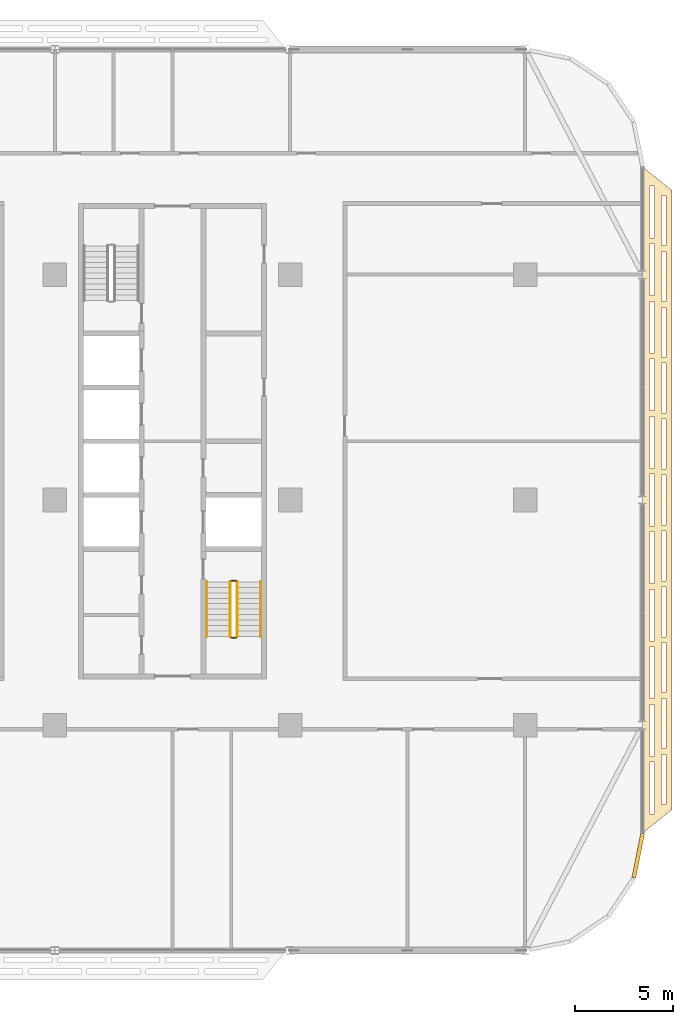
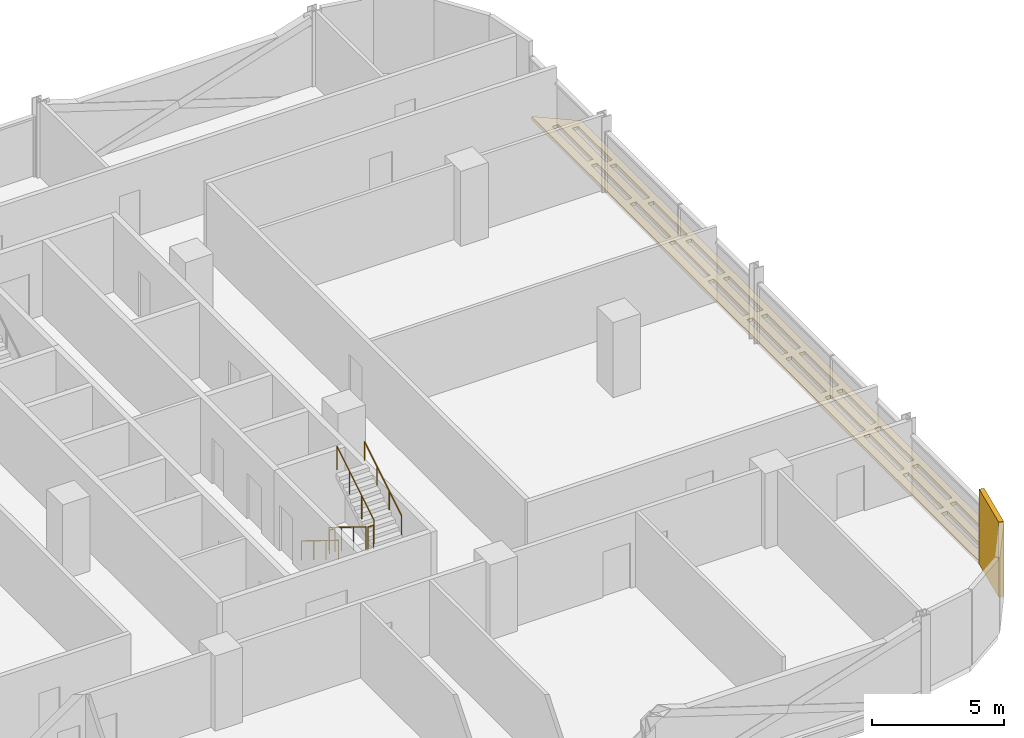
# One storey, part 26 of 27: 6 railings, 2 coverings.
"""IFC4 building model written with IfcOpenShell, lengths in metres."""

from ifc_helpers import new_model, si_unit, direction, frame, origin, origin_2d, place, context, subcontext, project, spatial, polyline, rectangle, circle, outline, extrude, material, layer, layer_set, type_object, element, save


model = new_model("IFC4")

# Units and contexts
model_context = context("Model", 3, precision=1e-05, world=origin(), true_north=direction((0.0, 1.0)))
body_context = subcontext(model_context, "Body", "Model", "MODEL_VIEW")
ifc_project = project(units=[si_unit("LENGTHUNIT", "METRE"), si_unit("AREAUNIT", "SQUARE_METRE"), si_unit("VOLUMEUNIT", "CUBIC_METRE"), si_unit("PLANEANGLEUNIT", "RADIAN"), si_unit("MASSUNIT", "GRAM", prefix="KILO")], contexts=[model_context])

# Site, building, storey
site_placement = place(None, origin())
site = spatial("IfcSite", under=ifc_project, at=site_placement, CompositionType="ELEMENT")
building_placement = place(site_placement, origin())
building = spatial("IfcBuilding", under=site, at=building_placement, Name="Mahtab Terrace Research Tower", CompositionType="ELEMENT")
storey_placement = place(building_placement, frame((0.0, 0.0, 166.800048828125)))
storey = spatial("IfcBuildingStorey", under=building, at=storey_placement, Name="L39", CompositionType="ELEMENT", Elevation=166.800048828125)

# Coverings
ifc_material_1 = material(Name="Black aluminium cladding panel", Category="aluminium")
ifc_layer_1 = layer(ifc_material_1, 0.199951171875)
ifc_layer_set_1 = layer_set([ifc_layer_1], Name="Black metal corner cladding 200")
covering_type_1 = type_object("IfcCoveringType", Name="Black metal corner cladding 200", PredefinedType="CLADDING", material=ifc_layer_set_1)
covering_1_placement = place(storey_placement, frame((47.771484375, -18.14794921875, 0.0), z_axis=(0.0, 0.0, 1.0), x_axis=(0.195212442692, 0.980760981187, 0.0)))
element("IfcCovering", 1, at=covering_1_placement, inside=storey, type_object=covering_type_1, Name="Corner cladding L39 33", PredefinedType="CLADDING", context=body_context, shape_type="SweptSolid", body=[
    extrude(rectangle(XDim=2.30126953125, YDim=0.199951171875, at=origin_2d()), origin(), (0.0, 0.0, 1.0), 3.4599609375),
])
ifc_material_2 = material(Name="Black anodised aluminium", Category="aluminium")
ifc_layer_2 = layer(ifc_material_2, 0.14990234375)
ifc_layer_set_2 = layer_set([ifc_layer_2], Name="Horizontal sunshade band")
covering_type_2 = type_object("IfcCoveringType", Name="Horizontal sunshade band", PredefinedType="CLADDING", material=ifc_layer_set_2)
covering_2_placement = place(storey_placement, frame((0.0, 0.0, -0.150146484375)))
element("IfcCovering", 2, at=covering_2_placement, inside=storey, type_object=covering_type_2, Name="Sunshade band L39 34", PredefinedType="CLADDING", context=body_context, shape_type="SweptSolid", body=[
    extrude(outline(polyline([(48.0, -17.0), (48.0, 17.0), (49.5, 15.800048828125), (49.5, -15.800048828125), (48.0, -17.0)]), holes=[polyline([(48.35009765625, -16.02001953125), (48.35009765625, -13.3798828125), (48.60009765625, -13.3798828125), (48.60009765625, -16.02001953125), (48.35009765625, -16.02001953125)]), polyline([(48.35009765625, -13.080078125), (48.35009765625, -10.43994140625), (48.60009765625, -10.43994140625), (48.60009765625, -13.080078125), (48.35009765625, -13.080078125)]), polyline([(48.35009765625, -10.139892578125), (48.35009765625, -7.5), (48.60009765625, -7.5), (48.60009765625, -10.139892578125), (48.35009765625, -10.139892578125)]), polyline([(48.35009765625, -7.199951171875), (48.35009765625, -4.56005859375), (48.60009765625, -4.56005859375), (48.60009765625, -7.199951171875), (48.35009765625, -7.199951171875)]), polyline([(48.35009765625, -4.260009765625), (48.35009765625, -1.6201171875), (48.60009765625, -1.6201171875), (48.60009765625, -4.260009765625), (48.35009765625, -4.260009765625)]), polyline([(48.35009765625, -1.320068359375), (48.35009765625, 1.320068359375), (48.60009765625, 1.320068359375), (48.60009765625, -1.320068359375), (48.35009765625, -1.320068359375)]), polyline([(48.35009765625, 1.6201171875), (48.35009765625, 4.260009765625), (48.60009765625, 4.260009765625), (48.60009765625, 1.6201171875), (48.35009765625, 1.6201171875)]), polyline([(48.35009765625, 4.56005859375), (48.35009765625, 7.199951171875), (48.60009765625, 7.199951171875), (48.60009765625, 4.56005859375), (48.35009765625, 4.56005859375)]), polyline([(48.35009765625, 7.5), (48.35009765625, 10.139892578125), (48.60009765625, 10.139892578125), (48.60009765625, 7.5), (48.35009765625, 7.5)]), polyline([(48.35009765625, 10.43994140625), (48.35009765625, 13.080078125), (48.60009765625, 13.080078125), (48.60009765625, 10.43994140625), (48.35009765625, 10.43994140625)]), polyline([(48.35009765625, 13.3798828125), (48.35009765625, 16.02001953125), (48.60009765625, 16.02001953125), (48.60009765625, 13.3798828125), (48.35009765625, 13.3798828125)]), polyline([(48.949951171875, -15.5400390625), (48.949951171875, -12.987060546875), (49.199951171875, -12.987060546875), (49.199951171875, -15.5400390625), (48.949951171875, -15.5400390625)]), polyline([(48.949951171875, -12.68701171875), (48.949951171875, -10.135009765625), (49.199951171875, -10.135009765625), (49.199951171875, -12.68701171875), (48.949951171875, -12.68701171875)]), polyline([(48.949951171875, -9.8349609375), (48.949951171875, -7.281982421875), (49.199951171875, -7.281982421875), (49.199951171875, -9.8349609375), (48.949951171875, -9.8349609375)]), polyline([(48.949951171875, -6.98193359375), (48.949951171875, -4.428955078125), (49.199951171875, -4.428955078125), (49.199951171875, -6.98193359375), (48.949951171875, -6.98193359375)]), polyline([(48.949951171875, -4.12890625), (48.949951171875, -1.575927734375), (49.199951171875, -1.575927734375), (49.199951171875, -4.12890625), (48.949951171875, -4.12890625)]), polyline([(48.949951171875, -1.27587890625), (48.949951171875, 1.27587890625), (49.199951171875, 1.27587890625), (49.199951171875, -1.27587890625), (48.949951171875, -1.27587890625)]), polyline([(48.949951171875, 1.575927734375), (48.949951171875, 4.12890625), (49.199951171875, 4.12890625), (49.199951171875, 1.575927734375), (48.949951171875, 1.575927734375)]), polyline([(48.949951171875, 4.428955078125), (48.949951171875, 6.98193359375), (49.199951171875, 6.98193359375), (49.199951171875, 4.428955078125), (48.949951171875, 4.428955078125)]), polyline([(48.949951171875, 7.281982421875), (48.949951171875, 9.8349609375), (49.199951171875, 9.8349609375), (49.199951171875, 7.281982421875), (48.949951171875, 7.281982421875)]), polyline([(48.949951171875, 10.135009765625), (48.949951171875, 12.68701171875), (49.199951171875, 12.68701171875), (49.199951171875, 10.135009765625), (48.949951171875, 10.135009765625)]), polyline([(48.949951171875, 12.987060546875), (48.949951171875, 15.5400390625), (49.199951171875, 15.5400390625), (49.199951171875, 12.987060546875), (48.949951171875, 12.987060546875)])]), origin(), (0.0, 0.0, 1.0), 0.150146484375),
])

# Railings
ifc_material_3 = material(Name="Stainless steel AISI 304", Category="steel")
railing_type_1 = type_object("IfcRailingType", Name="Stair guard 1100", PredefinedType="GUARDRAIL", material=ifc_material_3)
railing_1_placement = place(storey_placement, frame((26.949951171875, -4.175048828125, 0.172607421875)))
element("IfcRailing", 3, at=railing_1_placement, inside=storey, type_object=railing_type_1, Name="L39 ST4 stair guard 1", PredefinedType="GUARDRAIL", context=body_context, shape_type="SweptSolid", body=[
    extrude(circle(Radius=0.02392578125, at=origin_2d()), frame((0.0, 0.0, 1.076171875), z_axis=(0.0, -0.851089632645, 0.525020415988), x_axis=(1.0, 0.0, 0.0)), (0.0, 0.0, 1.0), 3.2900390625),
    extrude(circle(Radius=0.02099609375, at=origin_2d()), origin(), (0.0, 0.0, 1.0), 1.052001953125),
    extrude(circle(Radius=0.02099609375, at=origin_2d()), frame((0.0, -0.933349609375, 0.57568359375)), (0.0, 0.0, 1.0), 1.052001953125),
    extrude(circle(Radius=0.02099609375, at=origin_2d()), frame((0.0, -1.86669921875, 1.151611328125)), (0.0, 0.0, 1.0), 1.052001953125),
    extrude(circle(Radius=0.02099609375, at=origin_2d()), frame((0.0, -2.800048828125, 1.727294921875)), (0.0, 0.0, 1.0), 1.052001953125),
])
railing_2_placement = place(storey_placement, frame((27.0, -7.02490234375, 1.89990234375)))
element("IfcRailing", 4, at=railing_2_placement, inside=storey, type_object=railing_type_1, Name="L39 ST4 stair guard 2", PredefinedType="GUARDRAIL", context=body_context, shape_type="SweptSolid", body=[
    extrude(circle(Radius=0.02392578125, at=origin_2d()), frame((0.0, 0.0, 1.076171875), z_axis=(1.0, 0.0, 0.0), x_axis=(0.0, 1.0, 0.0)), (0.0, 0.0, 1.0), 0.25),
    extrude(circle(Radius=0.02099609375, at=origin_2d()), origin(), (0.0, 0.0, 1.0), 1.052001953125),
    extrude(circle(Radius=0.02099609375, at=origin_2d()), frame((0.25, 0.0, 0.0)), (0.0, 0.0, 1.0), 1.052001953125),
])
railing_3_placement = place(storey_placement, frame((27.300048828125, -6.97509765625, 2.07275390625)))
element("IfcRailing", 5, at=railing_3_placement, inside=storey, type_object=railing_type_1, Name="L39 ST4 stair guard 3", PredefinedType="GUARDRAIL", context=body_context, shape_type="SweptSolid", body=[
    extrude(circle(Radius=0.02392578125, at=origin_2d()), frame((0.0, 0.0, 1.076171875), z_axis=(0.0, 0.851089632645, 0.525020415988), x_axis=(-1.0, 0.0, 0.0)), (0.0, 0.0, 1.0), 3.2900390625),
    extrude(circle(Radius=0.02099609375, at=origin_2d()), origin(), (0.0, 0.0, 1.0), 1.052001953125),
    extrude(circle(Radius=0.02099609375, at=origin_2d()), frame((0.0, 0.933349609375, 0.57568359375)), (0.0, 0.0, 1.0), 1.052001953125),
    extrude(circle(Radius=0.02099609375, at=origin_2d()), frame((0.0, 1.86669921875, 1.151611328125)), (0.0, 0.0, 1.0), 1.052001953125),
    extrude(circle(Radius=0.02099609375, at=origin_2d()), frame((0.0, 2.800048828125, 1.727294921875)), (0.0, 0.0, 1.0), 1.052001953125),
])
railing_4_placement = place(storey_placement, frame((27.0, -4.125, 0.0)))
element("IfcRailing", 6, at=railing_4_placement, inside=storey, type_object=railing_type_1, Name="L39 ST4 stair guard 4", PredefinedType="GUARDRAIL", context=body_context, shape_type="SweptSolid", body=[
    extrude(circle(Radius=0.02392578125, at=origin_2d()), frame((0.0, 0.0, 1.076171875), z_axis=(1.0, 0.0, 0.0), x_axis=(0.0, 1.0, 0.0)), (0.0, 0.0, 1.0), 0.25),
    extrude(circle(Radius=0.02099609375, at=origin_2d()), origin(), (0.0, 0.0, 1.0), 1.052001953125),
    extrude(circle(Radius=0.02099609375, at=origin_2d()), frame((0.25, 0.0, 0.0)), (0.0, 0.0, 1.0), 1.052001953125),
])
railing_type_2 = type_object("IfcRailingType", Name="Stair handrail 900", PredefinedType="HANDRAIL", material=ifc_material_3)
railing_5_placement = place(storey_placement, frame((25.75, -4.175048828125, 0.172607421875)))
element("IfcRailing", 7, at=railing_5_placement, inside=storey, type_object=railing_type_2, Name="L39 ST4 stair handrail 1", PredefinedType="HANDRAIL", context=body_context, shape_type="SweptSolid", body=[
    extrude(circle(Radius=0.02392578125, at=origin_2d()), frame((0.0, 0.0, 0.8759765625), z_axis=(0.0, -0.851089632645, 0.525020415988), x_axis=(1.0, 0.0, 0.0)), (0.0, 0.0, 1.0), 3.2900390625),
    extrude(circle(Radius=0.02099609375, at=origin_2d()), origin(), (0.0, 0.0, 1.0), 0.851806640625),
    extrude(circle(Radius=0.02099609375, at=origin_2d()), frame((0.0, -0.933349609375, 0.57568359375)), (0.0, 0.0, 1.0), 0.851806640625),
    extrude(circle(Radius=0.02099609375, at=origin_2d()), frame((0.0, -1.86669921875, 1.151611328125)), (0.0, 0.0, 1.0), 0.851806640625),
    extrude(circle(Radius=0.02099609375, at=origin_2d()), frame((0.0, -2.800048828125, 1.727294921875)), (0.0, 0.0, 1.0), 0.851806640625),
])
railing_6_placement = place(storey_placement, frame((28.5, -6.97509765625, 2.07275390625)))
element("IfcRailing", 8, at=railing_6_placement, inside=storey, type_object=railing_type_2, Name="L39 ST4 stair handrail 2", PredefinedType="HANDRAIL", context=body_context, shape_type="SweptSolid", body=[
    extrude(circle(Radius=0.02392578125, at=origin_2d()), frame((0.0, 0.0, 0.8759765625), z_axis=(0.0, 0.851089632645, 0.525020415988), x_axis=(-1.0, 0.0, 0.0)), (0.0, 0.0, 1.0), 3.2900390625),
    extrude(circle(Radius=0.02099609375, at=origin_2d()), origin(), (0.0, 0.0, 1.0), 0.851806640625),
    extrude(circle(Radius=0.02099609375, at=origin_2d()), frame((0.0, 0.933349609375, 0.57568359375)), (0.0, 0.0, 1.0), 0.851806640625),
    extrude(circle(Radius=0.02099609375, at=origin_2d()), frame((0.0, 1.86669921875, 1.151611328125)), (0.0, 0.0, 1.0), 0.851806640625),
    extrude(circle(Radius=0.02099609375, at=origin_2d()), frame((0.0, 2.800048828125, 1.727294921875)), (0.0, 0.0, 1.0), 0.851806640625),
])

save(model, "model.ifc")
